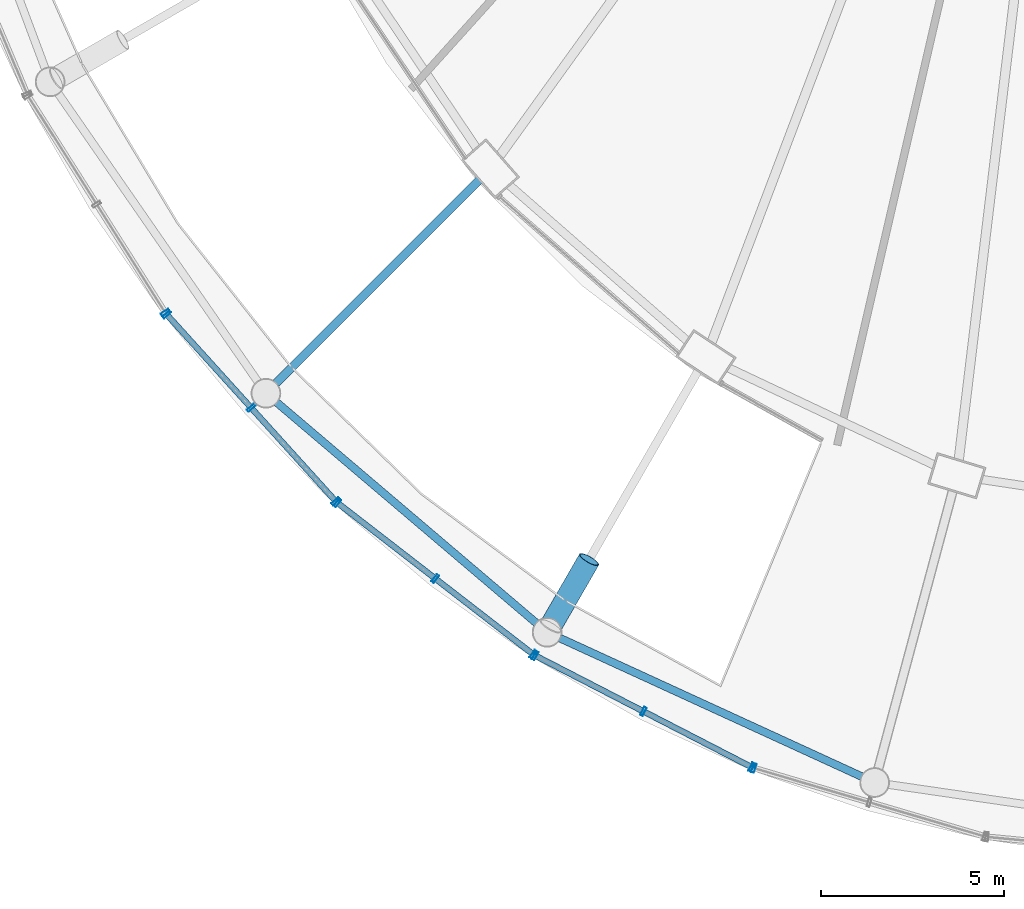
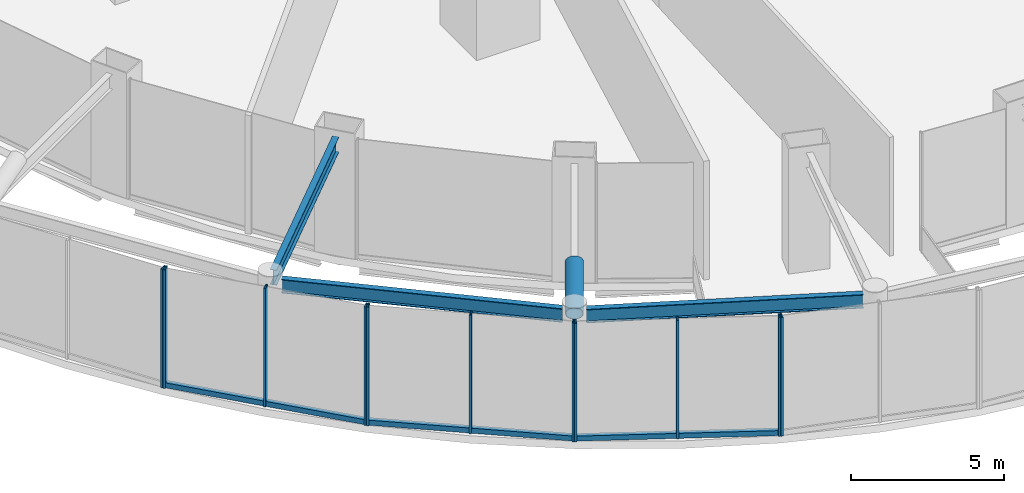
# One storey, part 3 of 52: 15 members, 3 beams, 5 elements without a shape of their own.
"""IFC4 building model written with IfcOpenShell, lengths in metres."""

from ifc_helpers import new_model, si_unit, direction, frame, origin, origin_2d, place, context, subcontext, project, spatial, hollow_rectangle, hollow_circle, i_section, extrude, material, layer, layer_set, material_profile, profile_set, type_object, element, aggregate, save


model = new_model("IFC4")

# Units and contexts
model_context = context("Model", 3, precision=1e-05, world=origin(), true_north=direction((0.0, 1.0)))
body_context = subcontext(model_context, "Body", "Model", "MODEL_VIEW")
ifc_project = project(units=[si_unit("LENGTHUNIT", "METRE"), si_unit("AREAUNIT", "SQUARE_METRE"), si_unit("VOLUMEUNIT", "CUBIC_METRE"), si_unit("PLANEANGLEUNIT", "RADIAN"), si_unit("MASSUNIT", "GRAM", prefix="KILO")], contexts=[model_context])

# Site, building, storey
site_placement = place(None, origin())
site = spatial("IfcSite", under=ifc_project, at=site_placement, CompositionType="ELEMENT")
building_placement = place(site_placement, origin())
building = spatial("IfcBuilding", under=site, at=building_placement, Name="Nagisa Residences", CompositionType="ELEMENT")
storey_placement = place(building_placement, frame((0.0, 0.0, 22.0)))
storey = spatial("IfcBuildingStorey", under=building, at=storey_placement, Name="L04", CompositionType="ELEMENT", Elevation=22.0)

# Beams
ifc_material_1 = material(Name="Steel ASTM A572 Gr 50", Category="steel")
ifc_material_profile_1 = material_profile(ifc_material_1, i_section(OverallWidth=0.214111328125, OverallDepth=0.549072265625, WebThickness=0.0146484375, FlangeThickness=0.023681640625, at=origin_2d()), Name="W530x138")
ifc_profile_set_1 = profile_set([ifc_material_profile_1], Name="Steel ASTM A572 Gr 50")
beam_type_1 = type_object("IfcBeamType", Name="Atrium ring beam W530x138", PredefinedType="BEAM", material=ifc_profile_set_1)
beam_1_placement = place(storey_placement, frame((-22.409912109375, -29.383056640625, 4.4755859375), z_axis=(0.762007048716, -0.647568728173, 0.0), x_axis=(0.647568728173, 0.762007048716, 0.0)))
element("IfcBeam", 1, at=beam_1_placement, inside=storey, type_object=beam_type_1, Name="beam:L04:rab16", PredefinedType="BEAM", context=body_context, shape_type="SweptSolid", body=[
    extrude(i_section(OverallWidth=0.214111328125, OverallDepth=0.549072265625, WebThickness=0.0146484375, FlangeThickness=0.023681640625, at=origin_2d()), origin(), (0.0, 0.0, 1.0), 9.337890625),
])
beam_2_placement = place(storey_placement, frame((-14.648681640625, -35.84130859375, 4.4755859375), z_axis=(0.908914420706, -0.416982704477, 0.0), x_axis=(0.416982704477, 0.908914420706, 0.0)))
element("IfcBeam", 2, at=beam_2_placement, inside=storey, type_object=beam_type_1, Name="beam:L04:rab17", PredefinedType="BEAM", context=body_context, shape_type="SweptSolid", body=[
    extrude(i_section(OverallWidth=0.214111328125, OverallDepth=0.549072265625, WebThickness=0.0146484375, FlangeThickness=0.023681640625, at=origin_2d()), origin(), (0.0, 0.0, 1.0), 9.097900390625),
])
ifc_material_2 = material(Name="Steel ASTM A572 Gr 50", Category="steel")
ifc_material_profile_2 = material_profile(ifc_material_2, i_section(OverallWidth=0.22802734375, OverallDepth=0.60302734375, WebThickness=0.010498046875, FlangeThickness=0.014892578125, at=origin_2d()), Name="W610x101")
ifc_profile_set_2 = profile_set([ifc_material_profile_2], Name="Steel ASTM A572 Gr 50")
beam_type_2 = type_object("IfcBeamType", Name="Atrium roof beam W610x101", PredefinedType="BEAM", material=ifc_profile_set_2)
beam_3_placement = place(storey_placement, frame((-16.857177734375, -23.28564453125, 4.448486328125), z_axis=(-0.707106781187, -0.707106781187, 0.0), x_axis=(0.707106781187, -0.707106781187, 0.0)))
element("IfcBeam", 3, at=beam_3_placement, inside=storey, type_object=beam_type_2, Name="beam:L04:rer16", PredefinedType="BEAM", context=body_context, shape_type="SweptSolid", body=[
    extrude(i_section(OverallWidth=0.22802734375, OverallDepth=0.60302734375, WebThickness=0.010498046875, FlangeThickness=0.014892578125, at=origin_2d()), origin(), (0.0, 0.0, 1.0), 7.8828125),
])

# Curtain wall, member
ifc_material_3 = material(Name="Stainless steel curtain wall system", Category="steel")
ifc_layer = layer(ifc_material_3, 0.159912109375)
ifc_layer_set = layer_set([ifc_layer], Name="CW3 CURTAIN WALL")
curtain_wall_type = type_object("IfcCurtainWallType", Name="CW3 CURTAIN WALL", PredefinedType="NOTDEFINED", material=ifc_layer_set)
curtain_wall_1_placement = place(storey_placement, origin())
curtain_wall_1 = element("IfcCurtainWall", 4, at=curtain_wall_1_placement, inside=storey, type_object=curtain_wall_type, Name="cw:CW3:L04:21", PredefinedType="NOTDEFINED")
ifc_material_4 = material(Name="Stainless steel", Category="steel")
ifc_material_profile_3 = material_profile(ifc_material_4, hollow_rectangle(XDim=0.25, YDim=0.080078125, WallThickness=0.008056640625, at=origin_2d()), Name="CW3 MULLION 250x80")
ifc_profile_set_3 = profile_set([ifc_material_profile_3], Name="Stainless steel")
member_type_1 = type_object("IfcMemberType", Name="CW3 MULLION 250x80", PredefinedType="MULLION", material=ifc_profile_set_3)
member_1_placement = place(storey_placement, frame((-25.463623046875, -26.92041015625, 0.0), z_axis=(0.0, 0.0, 1.0), x_axis=(0.844747368001, 0.535165286856, 0.0)))
member_1 = element("IfcMember", 5, at=member_1_placement, type_object=member_type_1, Name="CW3 mullion", PredefinedType="MULLION", context=body_context, shape_type="SweptSolid", body=[
    extrude(hollow_rectangle(XDim=0.25, YDim=0.080078125, WallThickness=0.008056640625, at=origin_2d()), origin(), (0.0, 0.0, 1.0), 4.739990234375),
])
aggregate(curtain_wall_1, [member_1])

# Curtain wall, members
curtain_wall_2_placement = place(storey_placement, origin())
curtain_wall_2 = element("IfcCurtainWall", 6, at=curtain_wall_2_placement, inside=storey, type_object=curtain_wall_type, Name="cw:CW3:L04:22", PredefinedType="NOTDEFINED")
member_2_placement = place(storey_placement, frame((-25.423583984375, -26.97314453125, 0.0), z_axis=(0.0, 0.0, 1.0), x_axis=(0.741535779122, 0.670913323971, 0.0)))
member_2 = element("IfcMember", 7, at=member_2_placement, type_object=member_type_1, Name="CW3 mullion", PredefinedType="MULLION", context=body_context, shape_type="SweptSolid", body=[
    extrude(hollow_rectangle(XDim=0.25, YDim=0.080078125, WallThickness=0.008056640625, at=origin_2d()), origin(), (0.0, 0.0, 1.0), 4.739990234375),
])
member_3_placement = place(storey_placement, frame((-23.1083984375, -29.53173828125, 0.0), z_axis=(0.0, 0.0, 1.0), x_axis=(0.741535779122, 0.670913323971, 0.0)))
member_3 = element("IfcMember", 8, at=member_3_placement, type_object=member_type_1, Name="CW3 mullion", PredefinedType="MULLION", context=body_context, shape_type="SweptSolid", body=[
    extrude(hollow_rectangle(XDim=0.25, YDim=0.080078125, WallThickness=0.008056640625, at=origin_2d()), origin(), (0.0, 0.0, 1.0), 4.739990234375),
])
member_4_placement = place(storey_placement, frame((-20.79345703125, -32.090576171875, 0.0), z_axis=(0.0, 0.0, 1.0), x_axis=(0.741535779122, 0.670913323971, 0.0)))
member_4 = element("IfcMember", 9, at=member_4_placement, type_object=member_type_1, Name="CW3 mullion", PredefinedType="MULLION", context=body_context, shape_type="SweptSolid", body=[
    extrude(hollow_rectangle(XDim=0.25, YDim=0.080078125, WallThickness=0.008056640625, at=origin_2d()), origin(), (0.0, 0.0, 1.0), 4.739990234375),
])

curtain_wall_3_placement = place(storey_placement, origin())
curtain_wall_3 = element("IfcCurtainWall", 10, at=curtain_wall_3_placement, inside=storey, type_object=curtain_wall_type, Name="cw:CW3:L04:23", PredefinedType="NOTDEFINED")
member_5_placement = place(storey_placement, frame((-20.745361328125, -32.135009765625, 0.0), z_axis=(0.0, 0.0, 1.0), x_axis=(0.612034757172, 0.790830864353, 0.0)))
member_5 = element("IfcMember", 11, at=member_5_placement, type_object=member_type_1, Name="CW3 mullion", PredefinedType="MULLION", context=body_context, shape_type="SweptSolid", body=[
    extrude(hollow_rectangle(XDim=0.25, YDim=0.080078125, WallThickness=0.008056640625, at=origin_2d()), origin(), (0.0, 0.0, 1.0), 4.739990234375),
])
member_6_placement = place(storey_placement, frame((-18.06396484375, -34.210205078125, 0.0), z_axis=(0.0, 0.0, 1.0), x_axis=(0.612034757172, 0.790830864353, 0.0)))
member_6 = element("IfcMember", 12, at=member_6_placement, type_object=member_type_1, Name="CW3 mullion", PredefinedType="MULLION", context=body_context, shape_type="SweptSolid", body=[
    extrude(hollow_rectangle(XDim=0.25, YDim=0.080078125, WallThickness=0.008056640625, at=origin_2d()), origin(), (0.0, 0.0, 1.0), 4.739990234375),
])
member_7_placement = place(storey_placement, frame((-15.382568359375, -36.285400390625, 0.0), z_axis=(0.0, 0.0, 1.0), x_axis=(0.612034757172, 0.790830864353, 0.0)))
member_7 = element("IfcMember", 13, at=member_7_placement, type_object=member_type_1, Name="CW3 mullion", PredefinedType="MULLION", context=body_context, shape_type="SweptSolid", body=[
    extrude(hollow_rectangle(XDim=0.25, YDim=0.080078125, WallThickness=0.008056640625, at=origin_2d()), origin(), (0.0, 0.0, 1.0), 4.739990234375),
])

curtain_wall_4_placement = place(storey_placement, origin())
curtain_wall_4 = element("IfcCurtainWall", 14, at=curtain_wall_4_placement, inside=storey, type_object=curtain_wall_type, Name="cw:CW3:L04:24", PredefinedType="NOTDEFINED")
member_8_placement = place(storey_placement, frame((-15.327880859375, -36.3203125, 0.0), z_axis=(0.0, 0.0, 1.0), x_axis=(0.45812598783, 0.888887270285, 0.0)))
member_8 = element("IfcMember", 15, at=member_8_placement, type_object=member_type_1, Name="CW3 mullion", PredefinedType="MULLION", context=body_context, shape_type="SweptSolid", body=[
    extrude(hollow_rectangle(XDim=0.25, YDim=0.080078125, WallThickness=0.008056640625, at=origin_2d()), origin(), (0.0, 0.0, 1.0), 4.739990234375),
])
member_9_placement = place(storey_placement, frame((-12.36181640625, -37.848876953125, 0.0), z_axis=(0.0, 0.0, 1.0), x_axis=(0.45812598783, 0.888887270285, 0.0)))
member_9 = element("IfcMember", 16, at=member_9_placement, type_object=member_type_1, Name="CW3 mullion", PredefinedType="MULLION", context=body_context, shape_type="SweptSolid", body=[
    extrude(hollow_rectangle(XDim=0.25, YDim=0.080078125, WallThickness=0.008056640625, at=origin_2d()), origin(), (0.0, 0.0, 1.0), 4.739990234375),
])
member_10_placement = place(storey_placement, frame((-9.395751953125, -39.377685546875, 0.0), z_axis=(0.0, 0.0, 1.0), x_axis=(0.45812598783, 0.888887270285, 0.0)))
member_10 = element("IfcMember", 17, at=member_10_placement, type_object=member_type_1, Name="CW3 mullion", PredefinedType="MULLION", context=body_context, shape_type="SweptSolid", body=[
    extrude(hollow_rectangle(XDim=0.25, YDim=0.080078125, WallThickness=0.008056640625, at=origin_2d()), origin(), (0.0, 0.0, 1.0), 4.739990234375),
])

# Curtain wall, member
curtain_wall_5_placement = place(storey_placement, origin())
curtain_wall_5 = element("IfcCurtainWall", 18, at=curtain_wall_5_placement, inside=storey, type_object=curtain_wall_type, Name="cw:CW3:L04:25", PredefinedType="NOTDEFINED")
member_11_placement = place(storey_placement, frame((-9.335693359375, -39.40185546875, 0.0), z_axis=(0.0, 0.0, 1.0), x_axis=(0.283963226669, 0.958835171393, 0.0)))
member_11 = element("IfcMember", 19, at=member_11_placement, type_object=member_type_1, Name="CW3 mullion", PredefinedType="MULLION", context=body_context, shape_type="SweptSolid", body=[
    extrude(hollow_rectangle(XDim=0.25, YDim=0.080078125, WallThickness=0.008056640625, at=origin_2d()), origin(), (0.0, 0.0, 1.0), 4.739990234375),
])
aggregate(curtain_wall_5, [member_11])

# Member
ifc_material_5 = material(Name="Stainless steel", Category="steel")
ifc_material_profile_4 = material_profile(ifc_material_5, hollow_rectangle(XDim=0.159912109375, YDim=0.199951171875, WallThickness=0.008056640625, at=origin_2d()), Name="CW3 TRANSOM 160x200")
ifc_profile_set_4 = profile_set([ifc_material_profile_4], Name="Stainless steel")
member_type_2 = type_object("IfcMemberType", Name="CW3 TRANSOM 160x200", PredefinedType="USERDEFINED", material=ifc_profile_set_4)
member_12_placement = place(storey_placement, frame((-25.450439453125, -26.943359375, 0.10009765625), z_axis=(0.670921565259, -0.741528322635, 0.0), x_axis=(0.741528322635, 0.670921565259, 0.0)))
member_12 = element("IfcMember", 20, at=member_12_placement, type_object=member_type_2, Name="CW3 transom", ObjectType="TRANSOM", PredefinedType="USERDEFINED", context=body_context, shape_type="SweptSolid", body=[
    extrude(hollow_rectangle(XDim=0.159912109375, YDim=0.199951171875, WallThickness=0.008056640625, at=origin_2d()), origin(), (0.0, 0.0, 1.0), 6.981201171875),
])

aggregate(curtain_wall_2, [member_2, member_3, member_4, member_12])

member_13_placement = place(storey_placement, frame((-20.77685546875, -32.110595703125, 0.10009765625), z_axis=(0.790821490188, -0.612046869656, 0.0), x_axis=(0.612046869656, 0.790821490188, 0.0)))
member_13 = element("IfcMember", 21, at=member_13_placement, type_object=member_type_2, Name="CW3 transom", ObjectType="TRANSOM", PredefinedType="USERDEFINED", context=body_context, shape_type="SweptSolid", body=[
    extrude(hollow_rectangle(XDim=0.159912109375, YDim=0.199951171875, WallThickness=0.008056640625, at=origin_2d()), origin(), (0.0, 0.0, 1.0), 6.86083984375),
])

aggregate(curtain_wall_3, [member_5, member_6, member_7, member_13])

member_14_placement = place(storey_placement, frame((-15.36328125, -36.302001953125, 0.10009765625), z_axis=(0.888887130152, -0.458126259726, 0.0), x_axis=(0.458126259726, 0.888887130152, 0.0)))
member_14 = element("IfcMember", 22, at=member_14_placement, type_object=member_type_2, Name="CW3 transom", ObjectType="TRANSOM", PredefinedType="USERDEFINED", context=body_context, shape_type="SweptSolid", body=[
    extrude(hollow_rectangle(XDim=0.159912109375, YDim=0.199951171875, WallThickness=0.008056640625, at=origin_2d()), origin(), (0.0, 0.0, 1.0), 6.753662109375),
])

aggregate(curtain_wall_4, [member_8, member_9, member_10, member_14])

ifc_material_6 = material(Name="Steel ASTM A572 Gr 65", Category="steel")
ifc_material_profile_5 = material_profile(ifc_material_6, hollow_circle(Radius=0.304931640625, WallThickness=0.02490234375, at=origin_2d()), Name="CHS 610x25")
ifc_profile_set_5 = profile_set([ifc_material_profile_5], Name="Steel ASTM A572 Gr 65")
member_type_3 = type_object("IfcMemberType", Name="Cage strut CHS 610x25", PredefinedType="STRUT", material=ifc_profile_set_5)
member_15_placement = place(storey_placement, frame((-13.85009765625, -33.6884765625, 5.0), z_axis=(-0.480696439392, -0.832722738844, -0.274779499541), x_axis=(0.866059744384, -0.49994051562, 0.0)))
element("IfcMember", 23, at=member_15_placement, inside=storey, type_object=member_type_3, Name="mem:L04:cg1tie09", PredefinedType="STRUT", context=body_context, shape_type="SweptSolid", body=[
    extrude(hollow_circle(Radius=0.304931640625, WallThickness=0.02490234375, at=origin_2d()), origin(), (0.0, 0.0, 1.0), 2.183837890625),
])

save(model, "model.ifc")
